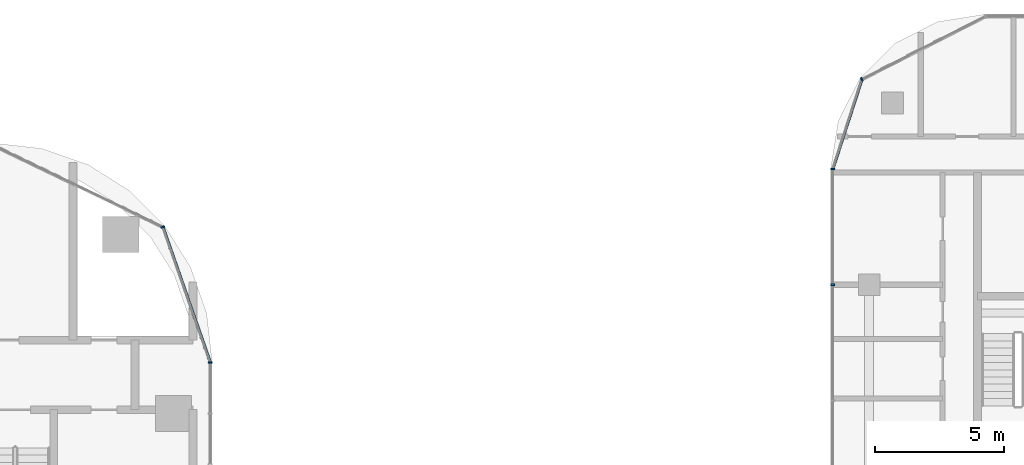
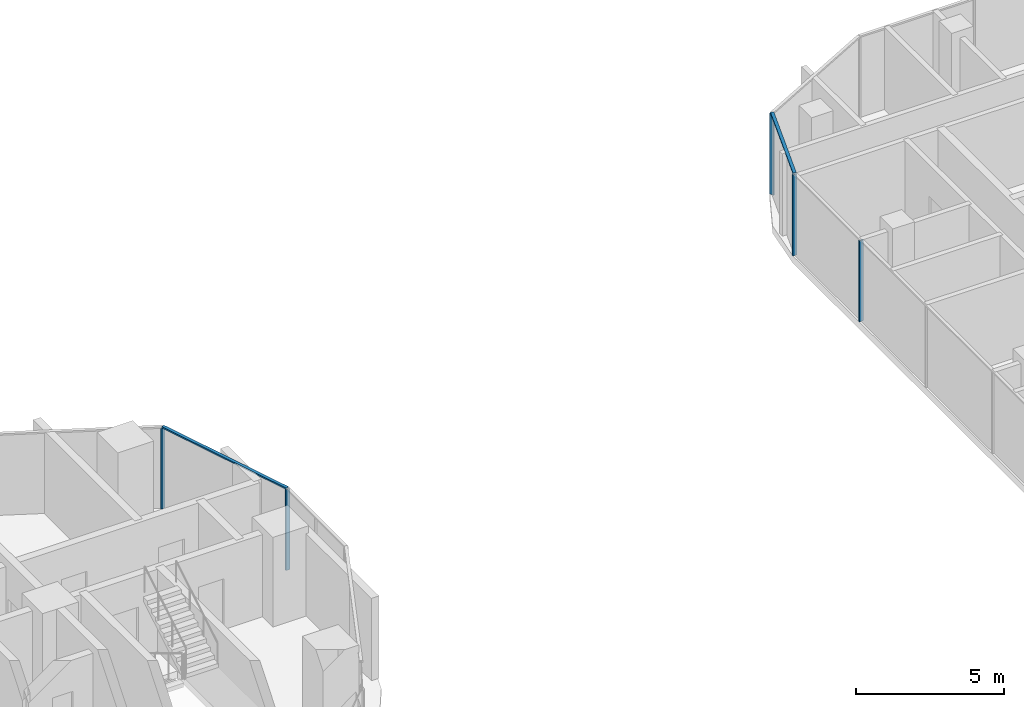
# One storey, part 9 of 33: 7 members, 4 elements without a shape of their own.
"""IFC4 building model written with IfcOpenShell, lengths in metres."""

from ifc_helpers import new_model, si_unit, direction, frame, origin, origin_2d, place, context, subcontext, project, spatial, rectangle, extrude, material, material_profile, profile_set, type_object, element, aggregate, save


model = new_model("IFC4")

# Units and contexts
model_context = context("Model", 3, precision=1e-05, world=origin(), true_north=direction((0.0, 1.0)))
body_context = subcontext(model_context, "Body", "Model", "MODEL_VIEW")
ifc_project = project(units=[si_unit("LENGTHUNIT", "METRE"), si_unit("AREAUNIT", "SQUARE_METRE"), si_unit("VOLUMEUNIT", "CUBIC_METRE"), si_unit("PLANEANGLEUNIT", "RADIAN"), si_unit("MASSUNIT", "GRAM", prefix="KILO")], contexts=[model_context])

# Site, building, storey
site_placement = place(None, origin())
site = spatial("IfcSite", under=ifc_project, at=site_placement, CompositionType="ELEMENT")
building_placement = place(site_placement, origin())
building = spatial("IfcBuilding", under=site, at=building_placement, Name="Ogive Portal Towers", CompositionType="ELEMENT")
storey_placement = place(building_placement, frame((0.0, 0.0, 77.89990234375)))
storey = spatial("IfcBuildingStorey", under=building, at=storey_placement, Name="L18", CompositionType="ELEMENT", Elevation=77.89990234375)

# Curtain wall, member
ifc_material_1 = material(Name="Glass, clear low-iron insulated glazing", Category="glass")
curtain_wall_type_1 = type_object("IfcCurtainWallType", Name="CW FRONT RIBBON 4500", PredefinedType="NOTDEFINED", material=ifc_material_1)
curtain_wall_1_placement = place(storey_placement, origin())
curtain_wall_1 = element("IfcCurtainWall", 1, at=curtain_wall_1_placement, inside=storey, type_object=curtain_wall_type_1, Name="A:L18:f09:cw0", PredefinedType="NOTDEFINED")
ifc_material_2 = material(Name="Aluminium 6063 anodised", Category="aluminium")
ifc_material_profile_1 = material_profile(ifc_material_2, rectangle(XDim=0.159912109375, YDim=0.06005859375, at=origin_2d()), Name="AL 60x160")
ifc_profile_set_1 = profile_set([ifc_material_profile_1], Name="Aluminium 6063 anodised")
member_type_1 = type_object("IfcMemberType", Name="CW MULLION 60x160", PredefinedType="MULLION", material=ifc_profile_set_1)
member_1_placement = place(storey_placement, frame((95.919921875, 32.486328125, 0.0), z_axis=(0.0, 0.0, 1.0), x_axis=(-1.0, 0.0, 0.0)))
member_1 = element("IfcMember", 2, at=member_1_placement, type_object=member_type_1, Name="mullion", PredefinedType="MULLION", context=body_context, shape_type="SweptSolid", body=[
    extrude(rectangle(XDim=0.159912109375, YDim=0.06005859375, at=origin_2d()), origin(), (0.0, 0.0, 1.0), 3.340087890625),
])
aggregate(curtain_wall_1, [member_1])

curtain_wall_2_placement = place(storey_placement, origin())
curtain_wall_2 = element("IfcCurtainWall", 3, at=curtain_wall_2_placement, inside=storey, type_object=curtain_wall_type_1, Name="A:L18:f10:cwa", PredefinedType="NOTDEFINED")
member_2_placement = place(storey_placement, frame((94.0810546875, 37.741943359375, 0.0), z_axis=(0.0, 0.0, 1.0), x_axis=(-0.943883330307, -0.33027906196, 0.0)))
member_2 = element("IfcMember", 4, at=member_2_placement, type_object=member_type_1, Name="mullion", PredefinedType="MULLION", context=body_context, shape_type="SweptSolid", body=[
    extrude(rectangle(XDim=0.159912109375, YDim=0.06005859375, at=origin_2d()), origin(), (0.0, 0.0, 1.0), 3.340087890625),
])

# Curtain wall, members
curtain_wall_type_2 = type_object("IfcCurtainWallType", Name="CW RESIDENCES RIBBON", PredefinedType="NOTDEFINED", material=ifc_material_1)
curtain_wall_3_placement = place(storey_placement, origin())
curtain_wall_3 = element("IfcCurtainWall", 5, at=curtain_wall_3_placement, inside=storey, type_object=curtain_wall_type_2, Name="B:L18:f11:cw0", PredefinedType="NOTDEFINED")
member_3_placement = place(storey_placement, frame((120.080078125, 39.9873046875, 0.0), z_axis=(0.0, 0.0, 1.0), x_axis=(1.0, 0.0, 0.0)))
member_3 = element("IfcMember", 6, at=member_3_placement, type_object=member_type_1, Name="mullion", PredefinedType="MULLION", context=body_context, shape_type="SweptSolid", body=[
    extrude(rectangle(XDim=0.159912109375, YDim=0.06005859375, at=origin_2d()), origin(), (0.0, 0.0, 1.0), 3.340087890625),
])
member_4_placement = place(storey_placement, frame((120.080078125, 35.5, 0.0), z_axis=(0.0, 0.0, 1.0), x_axis=(1.0, 0.0, 0.0)))
member_4 = element("IfcMember", 7, at=member_4_placement, type_object=member_type_1, Name="mullion", PredefinedType="MULLION", context=body_context, shape_type="SweptSolid", body=[
    extrude(rectangle(XDim=0.159912109375, YDim=0.06005859375, at=origin_2d()), origin(), (0.0, 0.0, 1.0), 3.340087890625),
])
aggregate(curtain_wall_3, [member_3, member_4])

# Curtain wall, member
curtain_wall_4_placement = place(storey_placement, origin())
curtain_wall_4 = element("IfcCurtainWall", 8, at=curtain_wall_4_placement, inside=storey, type_object=curtain_wall_type_2, Name="B:L18:f09:cwa", PredefinedType="NOTDEFINED")
member_5_placement = place(storey_placement, frame((121.211669921875, 43.470458984375, 0.0), z_axis=(0.0, 0.0, 1.0), x_axis=(0.45399049974, -0.891006524188, 0.0)))
member_5 = element("IfcMember", 9, at=member_5_placement, type_object=member_type_1, Name="mullion", PredefinedType="MULLION", context=body_context, shape_type="SweptSolid", body=[
    extrude(rectangle(XDim=0.159912109375, YDim=0.06005859375, at=origin_2d()), origin(), (0.0, 0.0, 1.0), 3.340087890625),
])

# Member
ifc_material_profile_2 = material_profile(ifc_material_2, rectangle(XDim=0.1201171875, YDim=0.06005859375, at=origin_2d()), Name="AL 120x60")
ifc_profile_set_2 = profile_set([ifc_material_profile_2], Name="Aluminium 6063 anodised")
member_type_2 = type_object("IfcMemberType", Name="CW TRANSOM 60x120", PredefinedType="USERDEFINED", material=ifc_profile_set_2)
member_6_placement = place(storey_placement, frame((95.919921875, 32.486328125, 3.3701171875), z_axis=(-0.330254721593, 0.943891847017, 0.0), x_axis=(-0.943891847017, -0.330254721593, 0.0)))
member_6 = element("IfcMember", 10, at=member_6_placement, type_object=member_type_2, Name="transom", ObjectType="TRANSOM", PredefinedType="USERDEFINED", context=body_context, shape_type="SweptSolid", body=[
    extrude(rectangle(XDim=0.1201171875, YDim=0.06005859375, at=origin_2d()), origin(), (0.0, 0.0, 1.0), 5.568115234375),
])

aggregate(curtain_wall_2, [member_6, member_2])

member_7_placement = place(storey_placement, frame((121.211669921875, 43.470458984375, 3.3701171875), z_axis=(-0.308979049184, -0.951068844598, 0.0), x_axis=(0.951068844598, -0.308979049184, 0.0)))
member_7 = element("IfcMember", 11, at=member_7_placement, type_object=member_type_2, Name="transom", ObjectType="TRANSOM", PredefinedType="USERDEFINED", context=body_context, shape_type="SweptSolid", body=[
    extrude(rectangle(XDim=0.1201171875, YDim=0.06005859375, at=origin_2d()), origin(), (0.0, 0.0, 1.0), 3.662353515625),
])

aggregate(curtain_wall_4, [member_7, member_5])

save(model, "model.ifc")
